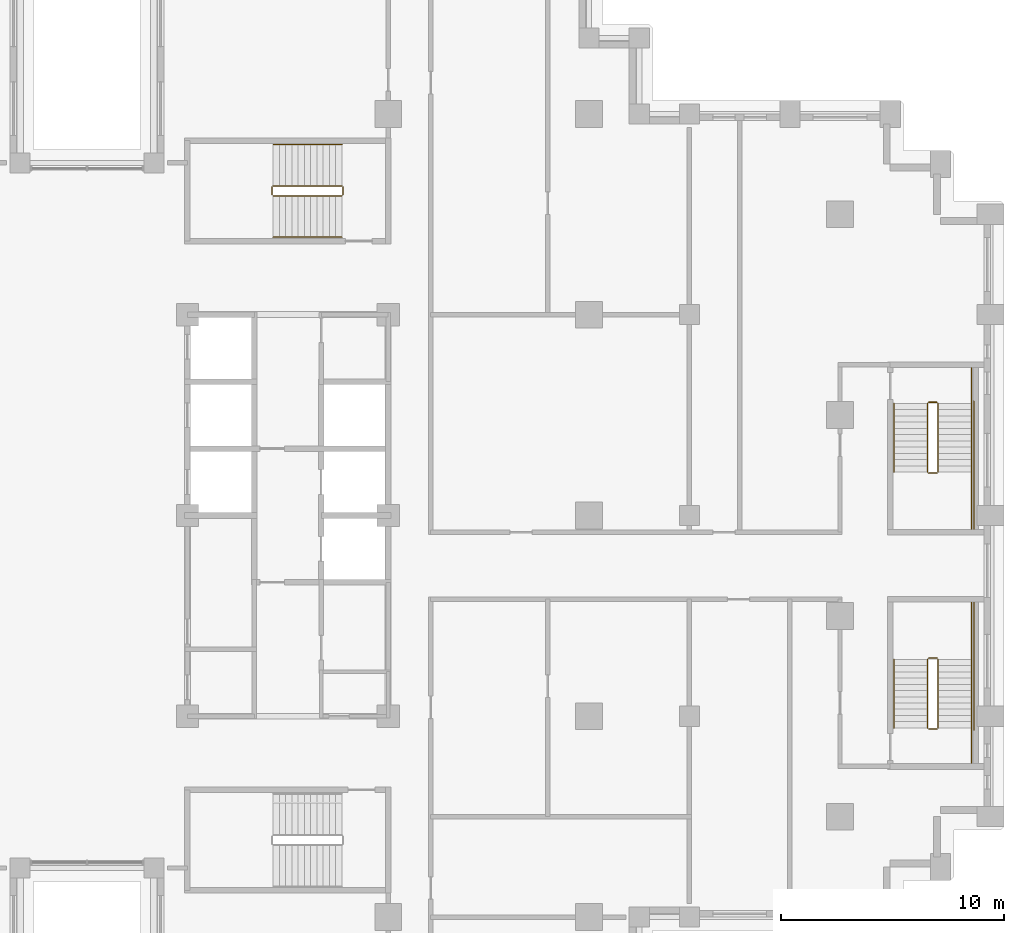
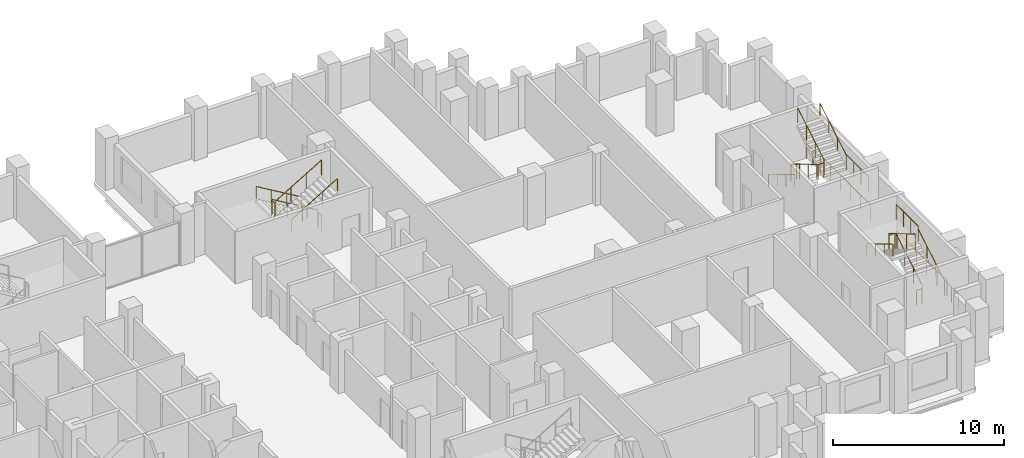
# One storey, part 16 of 16: 3 railings.
"""IFC4 building model written with IfcOpenShell, lengths in metres."""

import ifcopenshell
import ifcopenshell.guid

model = None  # the IFC model being written
_history = None  # IfcOwnerHistory: only IFC2X3 demands one
_inside = {}  # id of a spatial element -> (the spatial element, [elements in it])
_under = {}  # id of a project, library or spatial element -> (it, [spatial elements below it])
_declared = {}  # id of a project -> (the project, [libraries it declares])
_typed = {}  # id of a type object -> (the type object, [elements of that type])
_made_of = {}  # id of a material, layer set ... -> (it, [elements and type objects made of it])


def new_model(schema):
    """Start an empty IFC model of exactly this schema.

    Asked for "IFC4X3", IfcOpenShell would pick the latest addendum, in which some entities
    have other attributes; the version numbers below select the first issue.
    IFC2X3 requires an IfcOwnerHistory on every rooted entity: one is made here for all.
    """
    global model, _history
    if schema == "IFC4X3":
        model = ifcopenshell.file(schema_version=(4, 3, 0, 0))
    else:
        model = ifcopenshell.file(schema=schema)
    _inside.clear()
    _under.clear()
    _declared.clear()
    _typed.clear()
    _made_of.clear()
    _history = None
    if model.schema == "IFC2X3":
        org = make("IfcOrganization", Name="unknown")
        user = make(
            "IfcPersonAndOrganization",
            ThePerson=make("IfcPerson", FamilyName="unknown"),
            TheOrganization=org,
        )
        app = make(
            "IfcApplication",
            ApplicationDeveloper=org,
            Version="unknown",
            ApplicationFullName="unknown",
            ApplicationIdentifier="unknown",
        )
        _history = make(
            "IfcOwnerHistory",
            OwningUser=user,
            OwningApplication=app,
            ChangeAction="ADDED",
            CreationDate=0,
        )
    return model


def make(cls, **values):
    """One entity of the class cls with the attributes given. An attribute that is None is left unset."""
    return model.create_entity(
        cls, **{name: value for name, value in values.items() if value is not None}
    )


def rooted(cls, **values):
    """An entity with a GlobalId (a new one), such as an element, a storey or a relation."""
    return make(cls, GlobalId=ifcopenshell.guid.new(), OwnerHistory=_history, **values)


def si_unit(unit_type, name, prefix=None):
    """IfcSIUnit, for example si_unit("LENGTHUNIT", "METRE", prefix="MILLI")."""
    return make("IfcSIUnit", UnitType=unit_type, Prefix=prefix, Name=name)


def assignment(units):
    """IfcUnitAssignment: the units of a project."""
    return None if units is None else make("IfcUnitAssignment", Units=units)


def point(xyz):
    """IfcCartesianPoint."""
    return None if xyz is None else make("IfcCartesianPoint", Coordinates=xyz)


def direction(xyz):
    """IfcDirection."""
    return None if xyz is None else make("IfcDirection", DirectionRatios=xyz)


def frame(location, z_axis=None, x_axis=None):
    """IfcAxis2Placement3D, a coordinate frame: its origin and axes. An axis left out is left unset."""
    return make(
        "IfcAxis2Placement3D",
        Location=point(location),
        Axis=direction(z_axis),
        RefDirection=direction(x_axis),
    )


def frame_2d(location, x_axis=None):
    """IfcAxis2Placement2D, a coordinate frame in the plane: its origin and x axis."""
    return make(
        "IfcAxis2Placement2D", Location=point(location), RefDirection=direction(x_axis)
    )


def origin():
    """The frame at (0, 0, 0) with its axes left unset."""
    return frame((0.0, 0.0, 0.0))


def origin_2d():
    """The frame at (0, 0) in the plane with its x axis left unset."""
    return frame_2d((0.0, 0.0))


def place(relative_to, where):
    """IfcLocalPlacement: puts the frame where relative to a parent placement (None: the world)."""
    return make(
        "IfcLocalPlacement", PlacementRelTo=relative_to, RelativePlacement=where
    )


def context(
    kind, dimensions, precision=None, world=None, true_north=None, identifier=None
):
    """IfcGeometricRepresentationContext, for example the 3D "Model" context."""
    return make(
        "IfcGeometricRepresentationContext",
        ContextIdentifier=identifier,
        ContextType=kind,
        CoordinateSpaceDimension=dimensions,
        Precision=precision,
        WorldCoordinateSystem=world,
        TrueNorth=true_north,
    )


def subcontext(parent, identifier, kind, view, scale=None):
    """IfcGeometricRepresentationSubContext, for example "Body" below "Model"."""
    return make(
        "IfcGeometricRepresentationSubContext",
        ContextIdentifier=identifier,
        ContextType=kind,
        ParentContext=parent,
        TargetScale=scale,
        TargetView=view,
    )


def project(units=None, contexts=None):
    """IfcProject with its units and contexts."""
    return rooted(
        "IfcProject",
        Name="project",
        RepresentationContexts=contexts,
        UnitsInContext=assignment(units),
    )


def spatial(cls, under=None, at=None, **own):
    """A site, building, storey or space (cls), placed at a placement, below another one or the project."""
    s = rooted(cls, ObjectPlacement=at, **own)
    if under is not None:
        _under.setdefault(under.id(), (under, []))[1].append(s)
    return s


def profile(cls, at=None, kind="AREA", **sizes):
    """A parametric profile (cls). Its sizes go by their IFC names, for example OverallWidth=200.0."""
    return make(cls, ProfileType=kind, Position=at, **sizes)


def circle(**sizes):
    """IfcCircleProfileDef."""
    return profile("IfcCircleProfileDef", **sizes)


def extrude(swept, where, along, depth):
    """IfcExtrudedAreaSolid: the profile swept, set in the frame where, extruded along a direction by depth."""
    return make(
        "IfcExtrudedAreaSolid",
        SweptArea=swept,
        Position=where,
        ExtrudedDirection=direction(along),
        Depth=depth,
    )


def shape(context_of_items, identifier, shape_type, items):
    """IfcShapeRepresentation: the items that make up one representation, for example the "Body"."""
    return make(
        "IfcShapeRepresentation",
        ContextOfItems=context_of_items,
        RepresentationIdentifier=identifier,
        RepresentationType=shape_type,
        Items=items,
    )


def material(Name=None, Category=None):
    """IfcMaterial."""
    return make("IfcMaterial", Name=Name, Category=Category)


def made_of(thing, what):
    """Note that an element or type object is made of a material, layer set ...; save() writes the relation."""
    if what is not None:
        _made_of.setdefault(what.id(), (what, []))[1].append(thing)
    return thing


def type_object(cls, material=None, **own):
    """A type object (cls), such as IfcWallType, which elements share."""
    return made_of(rooted(cls, **own), material)


def element(
    cls,
    number,
    at=None,
    inside=None,
    cuts=None,
    type_object=None,
    material=None,
    context=None,
    identifier="Body",
    shape_type=None,
    held_by="IfcProductDefinitionShape",
    body=None,
    shapes=None,
    **own,
):
    """One element of the class cls, such as IfcWall. Its Tag is "e" and its number.

    at: its placement. inside: the storey or other place that contains it. cuts: it is an
    opening in that element (IfcRelVoidsElement). A single representation is given by context,
    identifier, shape_type and body (its items); several are given by shapes. held_by: the class
    of the entity that holds the representations. save() writes the other relations.
    """
    e = rooted(cls, Tag="e%d" % number, ObjectPlacement=at, **own)
    if body is not None:
        shapes = [shape(context, identifier, shape_type, body)]
    if shapes is not None:
        e.Representation = make(held_by, Representations=shapes)
    if inside is not None:
        _inside.setdefault(inside.id(), (inside, []))[1].append(e)
    if cuts is not None:
        rooted(
            "IfcRelVoidsElement", RelatingBuildingElement=cuts, RelatedOpeningElement=e
        )
    if type_object is not None:
        _typed.setdefault(type_object.id(), (type_object, []))[1].append(e)
    return made_of(e, material)


def aggregate(whole, parts):
    """IfcRelAggregates: a whole, such as a stair, and the parts it consists of."""
    return rooted("IfcRelAggregates", RelatingObject=whole, RelatedObjects=parts)


def save(model, path):
    """Write the relations noted so far, then the file.

    IfcRelAggregates (storeys below a building ...), IfcRelContainedInSpatialStructure (elements
    in a storey), IfcRelDefinesByType, IfcRelAssociatesMaterial and IfcRelDeclares: one each for
    every whole, place, type object, material and project.
    """
    for whole, parts in _under.values():
        aggregate(whole, parts)
    for where, things in _inside.values():
        rooted(
            "IfcRelContainedInSpatialStructure",
            RelatedElements=things,
            RelatingStructure=where,
        )
    for kind, things in _typed.values():
        rooted("IfcRelDefinesByType", RelatedObjects=things, RelatingType=kind)
    for what, things in _made_of.values():
        rooted("IfcRelAssociatesMaterial", RelatedObjects=things, RelatingMaterial=what)
    for by, libraries in _declared.values():
        rooted("IfcRelDeclares", RelatingContext=by, RelatedDefinitions=libraries)
    model.write(path)


model = new_model("IFC4")

# Units and contexts
model_context = context("Model", 3, precision=1e-05, world=origin(), true_north=direction((0.0, 1.0)))
body_context = subcontext(model_context, "Body", "Model", "MODEL_VIEW")
ifc_project = project(units=[si_unit("LENGTHUNIT", "METRE"), si_unit("AREAUNIT", "SQUARE_METRE"), si_unit("VOLUMEUNIT", "CUBIC_METRE"), si_unit("PLANEANGLEUNIT", "RADIAN"), si_unit("MASSUNIT", "GRAM", prefix="KILO")], contexts=[model_context])

# Site, building, storey
site_placement = place(None, origin())
site = spatial("IfcSite", under=ifc_project, at=site_placement, CompositionType="ELEMENT")
building_placement = place(site_placement, origin())
building = spatial("IfcBuilding", under=site, at=building_placement, Name="Corbelhall Arena Tower", CompositionType="ELEMENT")
storey_placement = place(building_placement, frame((0.0, 0.0, 108.0)))
storey = spatial("IfcBuildingStorey", under=building, at=storey_placement, Name="L19", CompositionType="ELEMENT", Elevation=108.0)

# Railings
ifc_material = material(Name="Steel ASTM A500 Gr C", Category="steel")
railing_type = type_object("IfcRailingType", Name="IN-GD-1100", PredefinedType="GUARDRAIL", material=ifc_material)
railing_1_placement = place(storey_placement, frame((11.425048828125, 14.77490234375, 0.166748046875)))
element("IfcRailing", 1, at=railing_1_placement, inside=storey, type_object=railing_type, Name="L19 ST3 stair guards and handrails", PredefinedType="GUARDRAIL", context=body_context, shape_type="SweptSolid", body=[
    extrude(circle(Radius=0.02392578125, at=origin_2d()), frame((0.0, 0.0, 1.076171875), z_axis=(-0.859308565015, 0.0, 0.511457515432), x_axis=(0.0, -1.0, 0.0)), (0.0, 0.0, 1.0), 3.58447265625),
    extrude(circle(Radius=0.02392578125, at=origin_2d()), frame((-3.130126953125, -0.0498046875, 2.9091796875), z_axis=(0.0, -1.0, 0.0), x_axis=(1.0, 0.0, 0.0)), (0.0, 0.0, 1.0), 0.35009765625),
    extrude(circle(Radius=0.02392578125, at=origin_2d()), frame((-3.080078125, -0.449951171875, 3.076171875), z_axis=(0.859308565015, 0.0, 0.511457515432), x_axis=(0.0, 1.0, 0.0)), (0.0, 0.0, 1.0), 3.58447265625),
    extrude(circle(Radius=0.02392578125, at=origin_2d()), frame((0.050048828125, -0.0498046875, 0.9091796875), z_axis=(0.0, -1.0, 0.0), x_axis=(1.0, 0.0, 0.0)), (0.0, 0.0, 1.0), 0.35009765625),
    extrude(circle(Radius=0.02392578125, at=origin_2d()), frame((0.0, 1.85009765625, 0.8759765625), z_axis=(-0.859308565015, 0.0, 0.511457515432), x_axis=(0.0, -1.0, 0.0)), (0.0, 0.0, 1.0), 3.58447265625),
    extrude(circle(Radius=0.02392578125, at=origin_2d()), frame((-3.080078125, -2.2998046875, 2.8759765625), z_axis=(0.859308565015, 0.0, 0.511457515432), x_axis=(0.0, 1.0, 0.0)), (0.0, 0.0, 1.0), 3.58447265625),
    extrude(circle(Radius=0.02099609375, at=origin_2d()), origin(), (0.0, 0.0, 1.0), 1.052001953125),
    extrude(circle(Radius=0.02099609375, at=origin_2d()), frame((-1.026611328125, 0.0, 0.611083984375)), (0.0, 0.0, 1.0), 1.052001953125),
    extrude(circle(Radius=0.02099609375, at=origin_2d()), frame((-2.053466796875, 0.0, 1.22216796875)), (0.0, 0.0, 1.0), 1.052001953125),
    extrude(circle(Radius=0.02099609375, at=origin_2d()), frame((-3.080078125, 0.0, 1.833251953125)), (0.0, 0.0, 1.0), 1.052001953125),
    extrude(circle(Radius=0.02099609375, at=origin_2d()), frame((-3.130126953125, -0.0498046875, 1.833251953125)), (0.0, 0.0, 1.0), 1.052001953125),
    extrude(circle(Radius=0.02099609375, at=origin_2d()), frame((-3.130126953125, -0.39990234375, 1.833251953125)), (0.0, 0.0, 1.0), 1.052001953125),
    extrude(circle(Radius=0.02099609375, at=origin_2d()), frame((-3.080078125, -0.449951171875, 2.0)), (0.0, 0.0, 1.0), 1.052001953125),
    extrude(circle(Radius=0.02099609375, at=origin_2d()), frame((-2.053466796875, -0.449951171875, 2.611083984375)), (0.0, 0.0, 1.0), 1.052001953125),
    extrude(circle(Radius=0.02099609375, at=origin_2d()), frame((-1.026611328125, -0.449951171875, 3.22216796875)), (0.0, 0.0, 1.0), 1.052001953125),
    extrude(circle(Radius=0.02099609375, at=origin_2d()), frame((0.0, -0.449951171875, 3.833251953125)), (0.0, 0.0, 1.0), 1.052001953125),
    extrude(circle(Radius=0.02099609375, at=origin_2d()), frame((0.050048828125, -0.0498046875, -0.166748046875)), (0.0, 0.0, 1.0), 1.052001953125),
    extrude(circle(Radius=0.02099609375, at=origin_2d()), frame((0.050048828125, -0.39990234375, -0.166748046875)), (0.0, 0.0, 1.0), 1.052001953125),
    extrude(circle(Radius=0.02099609375, at=origin_2d()), frame((0.0, 1.85009765625, 0.0)), (0.0, 0.0, 1.0), 0.851806640625),
    extrude(circle(Radius=0.02099609375, at=origin_2d()), frame((-1.026611328125, 1.85009765625, 0.611083984375)), (0.0, 0.0, 1.0), 0.851806640625),
    extrude(circle(Radius=0.02099609375, at=origin_2d()), frame((-2.053466796875, 1.85009765625, 1.22216796875)), (0.0, 0.0, 1.0), 0.851806640625),
    extrude(circle(Radius=0.02099609375, at=origin_2d()), frame((-3.080078125, 1.85009765625, 1.833251953125)), (0.0, 0.0, 1.0), 0.851806640625),
    extrude(circle(Radius=0.02099609375, at=origin_2d()), frame((-3.080078125, -2.2998046875, 2.0)), (0.0, 0.0, 1.0), 0.851806640625),
    extrude(circle(Radius=0.02099609375, at=origin_2d()), frame((-2.053466796875, -2.2998046875, 2.611083984375)), (0.0, 0.0, 1.0), 0.851806640625),
    extrude(circle(Radius=0.02099609375, at=origin_2d()), frame((-1.026611328125, -2.2998046875, 3.22216796875)), (0.0, 0.0, 1.0), 0.851806640625),
    extrude(circle(Radius=0.02099609375, at=origin_2d()), frame((0.0, -2.2998046875, 3.833251953125)), (0.0, 0.0, 1.0), 0.851806640625),
])
railing_2_placement = place(storey_placement, frame((38.14990234375, -9.52490234375, 0.166748046875)))
element("IfcRailing", 2, at=railing_2_placement, inside=storey, type_object=railing_type, Name="L19 SD1 stair guards and handrails", PredefinedType="GUARDRAIL", context=body_context, shape_type="SweptSolid", body=[
    extrude(circle(Radius=0.02392578125, at=origin_2d()), frame((0.0, 0.0, 1.076171875), z_axis=(0.0, 0.859290745958, 0.51148745235), x_axis=(-1.0, 0.0, 0.0)), (0.0, 0.0, 1.0), 3.584228515625),
    extrude(circle(Radius=0.02392578125, at=origin_2d()), frame((-0.0498046875, 3.1298828125, 2.9091796875), z_axis=(-1.0, 0.0, 0.0), x_axis=(0.0, -1.0, 0.0)), (0.0, 0.0, 1.0), 0.375),
    extrude(circle(Radius=0.02392578125, at=origin_2d()), frame((1.5, 3.079833984375, 2.9091796875), z_axis=(0.0, 1.0, 0.0), x_axis=(-1.0, 0.0, 0.0)), (0.0, 0.0, 1.0), 2.570068359375),
    extrude(circle(Radius=0.02392578125, at=origin_2d()), frame((-0.474853515625, 3.079833984375, 3.076171875), z_axis=(0.0, -0.859290745958, 0.51148745235), x_axis=(1.0, 0.0, 0.0)), (0.0, 0.0, 1.0), 3.584228515625),
    extrude(circle(Radius=0.02392578125, at=origin_2d()), frame((-0.0498046875, -0.050048828125, 0.9091796875), z_axis=(-1.0, 0.0, 0.0), x_axis=(0.0, -1.0, 0.0)), (0.0, 0.0, 1.0), 0.375),
    extrude(circle(Radius=0.02392578125, at=origin_2d()), frame((1.5, -1.60009765625, 0.9091796875), z_axis=(0.0, 1.0, 0.0), x_axis=(-1.0, 0.0, 0.0)), (0.0, 0.0, 1.0), 1.60009765625),
    extrude(circle(Radius=0.02392578125, at=origin_2d()), frame((1.60009765625, -0.10009765625, 0.9091796875), z_axis=(0.0, 1.0, 0.0), x_axis=(-1.0, 0.0, 0.0)), (0.0, 0.0, 1.0), 5.85009765625),
    extrude(circle(Radius=0.02392578125, at=origin_2d()), frame((1.5, 0.0, 0.8759765625), z_axis=(0.0, 0.859290745958, 0.51148745235), x_axis=(-1.0, 0.0, 0.0)), (0.0, 0.0, 1.0), 3.584228515625),
    extrude(circle(Radius=0.02392578125, at=origin_2d()), frame((-1.974853515625, 3.079833984375, 2.8759765625), z_axis=(0.0, -0.859290745958, 0.51148745235), x_axis=(1.0, 0.0, 0.0)), (0.0, 0.0, 1.0), 3.584228515625),
    extrude(circle(Radius=0.02099609375, at=origin_2d()), origin(), (0.0, 0.0, 1.0), 1.052001953125),
    extrude(circle(Radius=0.02099609375, at=origin_2d()), frame((0.0, 1.026611328125, 0.611083984375)), (0.0, 0.0, 1.0), 1.052001953125),
    extrude(circle(Radius=0.02099609375, at=origin_2d()), frame((0.0, 2.05322265625, 1.22216796875)), (0.0, 0.0, 1.0), 1.052001953125),
    extrude(circle(Radius=0.02099609375, at=origin_2d()), frame((0.0, 3.079833984375, 1.833251953125)), (0.0, 0.0, 1.0), 1.052001953125),
    extrude(circle(Radius=0.02099609375, at=origin_2d()), frame((-0.0498046875, 3.1298828125, 1.833251953125)), (0.0, 0.0, 1.0), 1.052001953125),
    extrude(circle(Radius=0.02099609375, at=origin_2d()), frame((-0.4248046875, 3.1298828125, 1.833251953125)), (0.0, 0.0, 1.0), 1.052001953125),
    extrude(circle(Radius=0.02099609375, at=origin_2d()), frame((1.5, 3.079833984375, 1.833251953125)), (0.0, 0.0, 1.0), 1.052001953125),
    extrude(circle(Radius=0.02099609375, at=origin_2d()), frame((1.5, 3.9365234375, 1.833251953125)), (0.0, 0.0, 1.0), 1.052001953125),
    extrude(circle(Radius=0.02099609375, at=origin_2d()), frame((1.5, 4.793212890625, 1.833251953125)), (0.0, 0.0, 1.0), 1.052001953125),
    extrude(circle(Radius=0.02099609375, at=origin_2d()), frame((1.5, 5.64990234375, 1.833251953125)), (0.0, 0.0, 1.0), 1.052001953125),
    extrude(circle(Radius=0.02099609375, at=origin_2d()), frame((-0.474853515625, 3.079833984375, 2.0)), (0.0, 0.0, 1.0), 1.052001953125),
    extrude(circle(Radius=0.02099609375, at=origin_2d()), frame((-0.474853515625, 2.05322265625, 2.611083984375)), (0.0, 0.0, 1.0), 1.052001953125),
    extrude(circle(Radius=0.02099609375, at=origin_2d()), frame((-0.474853515625, 1.026611328125, 3.22216796875)), (0.0, 0.0, 1.0), 1.052001953125),
    extrude(circle(Radius=0.02099609375, at=origin_2d()), frame((-0.474853515625, 0.0, 3.833251953125)), (0.0, 0.0, 1.0), 1.052001953125),
    extrude(circle(Radius=0.02099609375, at=origin_2d()), frame((-0.0498046875, -0.050048828125, -0.166748046875)), (0.0, 0.0, 1.0), 1.052001953125),
    extrude(circle(Radius=0.02099609375, at=origin_2d()), frame((-0.4248046875, -0.050048828125, -0.166748046875)), (0.0, 0.0, 1.0), 1.052001953125),
    extrude(circle(Radius=0.02099609375, at=origin_2d()), frame((1.5, -1.60009765625, -0.166748046875)), (0.0, 0.0, 1.0), 1.052001953125),
    extrude(circle(Radius=0.02099609375, at=origin_2d()), frame((1.5, -0.800048828125, -0.166748046875)), (0.0, 0.0, 1.0), 1.052001953125),
    extrude(circle(Radius=0.02099609375, at=origin_2d()), frame((1.5, 0.0, -0.166748046875)), (0.0, 0.0, 1.0), 1.052001953125),
    extrude(circle(Radius=0.02099609375, at=origin_2d()), frame((1.60009765625, -0.10009765625, -0.166748046875)), (0.0, 0.0, 1.0), 1.052001953125),
    extrude(circle(Radius=0.02099609375, at=origin_2d()), frame((1.60009765625, 1.06982421875, -0.166748046875)), (0.0, 0.0, 1.0), 1.052001953125),
    extrude(circle(Radius=0.02099609375, at=origin_2d()), frame((1.60009765625, 2.239990234375, -0.166748046875)), (0.0, 0.0, 1.0), 1.052001953125),
    extrude(circle(Radius=0.02099609375, at=origin_2d()), frame((1.60009765625, 3.409912109375, -0.166748046875)), (0.0, 0.0, 1.0), 1.052001953125),
    extrude(circle(Radius=0.02099609375, at=origin_2d()), frame((1.60009765625, 4.580078125, -0.166748046875)), (0.0, 0.0, 1.0), 1.052001953125),
    extrude(circle(Radius=0.02099609375, at=origin_2d()), frame((1.60009765625, 5.75, -0.166748046875)), (0.0, 0.0, 1.0), 1.052001953125),
    extrude(circle(Radius=0.02099609375, at=origin_2d()), frame((1.5, 0.0, 0.0)), (0.0, 0.0, 1.0), 0.851806640625),
    extrude(circle(Radius=0.02099609375, at=origin_2d()), frame((1.5, 1.026611328125, 0.611083984375)), (0.0, 0.0, 1.0), 0.851806640625),
    extrude(circle(Radius=0.02099609375, at=origin_2d()), frame((1.5, 2.05322265625, 1.22216796875)), (0.0, 0.0, 1.0), 0.851806640625),
    extrude(circle(Radius=0.02099609375, at=origin_2d()), frame((-1.974853515625, 3.079833984375, 2.0)), (0.0, 0.0, 1.0), 0.851806640625),
    extrude(circle(Radius=0.02099609375, at=origin_2d()), frame((-1.974853515625, 2.05322265625, 2.611083984375)), (0.0, 0.0, 1.0), 0.851806640625),
    extrude(circle(Radius=0.02099609375, at=origin_2d()), frame((-1.974853515625, 1.026611328125, 3.22216796875)), (0.0, 0.0, 1.0), 0.851806640625),
    extrude(circle(Radius=0.02099609375, at=origin_2d()), frame((-1.974853515625, 0.0, 3.833251953125)), (0.0, 0.0, 1.0), 0.851806640625),
])
railing_3_placement = place(storey_placement, frame((37.675048828125, 5.02490234375, 0.166748046875)))
element("IfcRailing", 3, at=railing_3_placement, inside=storey, type_object=railing_type, Name="L19 SD2 stair guards and handrails", PredefinedType="GUARDRAIL", context=body_context, shape_type="SweptSolid", body=[
    extrude(circle(Radius=0.02392578125, at=origin_2d()), frame((0.0, 0.0, 1.076171875), z_axis=(0.0, -0.859290745958, 0.51148745235), x_axis=(1.0, 0.0, 0.0)), (0.0, 0.0, 1.0), 3.584228515625),
    extrude(circle(Radius=0.02392578125, at=origin_2d()), frame((0.050048828125, -3.1298828125, 2.9091796875), z_axis=(1.0, 0.0, 0.0), x_axis=(0.0, 1.0, 0.0)), (0.0, 0.0, 1.0), 0.375),
    extrude(circle(Radius=0.02392578125, at=origin_2d()), frame((1.974853515625, -3.079833984375, 2.9091796875), z_axis=(0.0, -1.0, 0.0), x_axis=(1.0, 0.0, 0.0)), (0.0, 0.0, 1.0), 2.570068359375),
    extrude(circle(Radius=0.02392578125, at=origin_2d()), frame((0.474853515625, -3.079833984375, 3.076171875), z_axis=(0.0, 0.859290745958, 0.51148745235), x_axis=(-1.0, 0.0, 0.0)), (0.0, 0.0, 1.0), 3.584228515625),
    extrude(circle(Radius=0.02392578125, at=origin_2d()), frame((0.050048828125, 0.050048828125, 0.9091796875), z_axis=(1.0, 0.0, 0.0), x_axis=(0.0, 1.0, 0.0)), (0.0, 0.0, 1.0), 0.375),
    extrude(circle(Radius=0.02392578125, at=origin_2d()), frame((1.974853515625, 1.60009765625, 0.9091796875), z_axis=(0.0, -1.0, 0.0), x_axis=(1.0, 0.0, 0.0)), (0.0, 0.0, 1.0), 1.60009765625),
    extrude(circle(Radius=0.02392578125, at=origin_2d()), frame((2.074951171875, 0.10009765625, 0.9091796875), z_axis=(0.0, -1.0, 0.0), x_axis=(1.0, 0.0, 0.0)), (0.0, 0.0, 1.0), 5.85009765625),
    extrude(circle(Radius=0.02392578125, at=origin_2d()), frame((-1.5, 0.0, 0.8759765625), z_axis=(0.0, -0.859290745958, 0.51148745235), x_axis=(1.0, 0.0, 0.0)), (0.0, 0.0, 1.0), 3.584228515625),
    extrude(circle(Radius=0.02392578125, at=origin_2d()), frame((1.974853515625, -3.079833984375, 2.8759765625), z_axis=(0.0, 0.859290745958, 0.51148745235), x_axis=(-1.0, 0.0, 0.0)), (0.0, 0.0, 1.0), 3.584228515625),
    extrude(circle(Radius=0.02099609375, at=origin_2d()), origin(), (0.0, 0.0, 1.0), 1.052001953125),
    extrude(circle(Radius=0.02099609375, at=origin_2d()), frame((0.0, -1.026611328125, 0.611083984375)), (0.0, 0.0, 1.0), 1.052001953125),
    extrude(circle(Radius=0.02099609375, at=origin_2d()), frame((0.0, -2.05322265625, 1.22216796875)), (0.0, 0.0, 1.0), 1.052001953125),
    extrude(circle(Radius=0.02099609375, at=origin_2d()), frame((0.0, -3.079833984375, 1.833251953125)), (0.0, 0.0, 1.0), 1.052001953125),
    extrude(circle(Radius=0.02099609375, at=origin_2d()), frame((0.050048828125, -3.1298828125, 1.833251953125)), (0.0, 0.0, 1.0), 1.052001953125),
    extrude(circle(Radius=0.02099609375, at=origin_2d()), frame((0.425048828125, -3.1298828125, 1.833251953125)), (0.0, 0.0, 1.0), 1.052001953125),
    extrude(circle(Radius=0.02099609375, at=origin_2d()), frame((1.974853515625, -3.079833984375, 1.833251953125)), (0.0, 0.0, 1.0), 1.052001953125),
    extrude(circle(Radius=0.02099609375, at=origin_2d()), frame((1.974853515625, -3.9365234375, 1.833251953125)), (0.0, 0.0, 1.0), 1.052001953125),
    extrude(circle(Radius=0.02099609375, at=origin_2d()), frame((1.974853515625, -4.793212890625, 1.833251953125)), (0.0, 0.0, 1.0), 1.052001953125),
    extrude(circle(Radius=0.02099609375, at=origin_2d()), frame((1.974853515625, -5.64990234375, 1.833251953125)), (0.0, 0.0, 1.0), 1.052001953125),
    extrude(circle(Radius=0.02099609375, at=origin_2d()), frame((0.474853515625, -3.079833984375, 2.0)), (0.0, 0.0, 1.0), 1.052001953125),
    extrude(circle(Radius=0.02099609375, at=origin_2d()), frame((0.474853515625, -2.05322265625, 2.611083984375)), (0.0, 0.0, 1.0), 1.052001953125),
    extrude(circle(Radius=0.02099609375, at=origin_2d()), frame((0.474853515625, -1.026611328125, 3.22216796875)), (0.0, 0.0, 1.0), 1.052001953125),
    extrude(circle(Radius=0.02099609375, at=origin_2d()), frame((0.474853515625, 0.0, 3.833251953125)), (0.0, 0.0, 1.0), 1.052001953125),
    extrude(circle(Radius=0.02099609375, at=origin_2d()), frame((0.050048828125, 0.050048828125, -0.166748046875)), (0.0, 0.0, 1.0), 1.052001953125),
    extrude(circle(Radius=0.02099609375, at=origin_2d()), frame((0.425048828125, 0.050048828125, -0.166748046875)), (0.0, 0.0, 1.0), 1.052001953125),
    extrude(circle(Radius=0.02099609375, at=origin_2d()), frame((1.974853515625, 1.60009765625, -0.166748046875)), (0.0, 0.0, 1.0), 1.052001953125),
    extrude(circle(Radius=0.02099609375, at=origin_2d()), frame((1.974853515625, 0.800048828125, -0.166748046875)), (0.0, 0.0, 1.0), 1.052001953125),
    extrude(circle(Radius=0.02099609375, at=origin_2d()), frame((1.974853515625, 0.0, -0.166748046875)), (0.0, 0.0, 1.0), 1.052001953125),
    extrude(circle(Radius=0.02099609375, at=origin_2d()), frame((2.074951171875, 0.10009765625, -0.166748046875)), (0.0, 0.0, 1.0), 1.052001953125),
    extrude(circle(Radius=0.02099609375, at=origin_2d()), frame((2.074951171875, -1.06982421875, -0.166748046875)), (0.0, 0.0, 1.0), 1.052001953125),
    extrude(circle(Radius=0.02099609375, at=origin_2d()), frame((2.074951171875, -2.239990234375, -0.166748046875)), (0.0, 0.0, 1.0), 1.052001953125),
    extrude(circle(Radius=0.02099609375, at=origin_2d()), frame((2.074951171875, -3.409912109375, -0.166748046875)), (0.0, 0.0, 1.0), 1.052001953125),
    extrude(circle(Radius=0.02099609375, at=origin_2d()), frame((2.074951171875, -4.580078125, -0.166748046875)), (0.0, 0.0, 1.0), 1.052001953125),
    extrude(circle(Radius=0.02099609375, at=origin_2d()), frame((2.074951171875, -5.75, -0.166748046875)), (0.0, 0.0, 1.0), 1.052001953125),
    extrude(circle(Radius=0.02099609375, at=origin_2d()), frame((-1.5, 0.0, 0.0)), (0.0, 0.0, 1.0), 0.851806640625),
    extrude(circle(Radius=0.02099609375, at=origin_2d()), frame((-1.5, -1.026611328125, 0.611083984375)), (0.0, 0.0, 1.0), 0.851806640625),
    extrude(circle(Radius=0.02099609375, at=origin_2d()), frame((-1.5, -2.05322265625, 1.22216796875)), (0.0, 0.0, 1.0), 0.851806640625),
    extrude(circle(Radius=0.02099609375, at=origin_2d()), frame((-1.5, -3.079833984375, 1.833251953125)), (0.0, 0.0, 1.0), 0.851806640625),
    extrude(circle(Radius=0.02099609375, at=origin_2d()), frame((1.974853515625, -3.079833984375, 2.0)), (0.0, 0.0, 1.0), 0.851806640625),
    extrude(circle(Radius=0.02099609375, at=origin_2d()), frame((1.974853515625, -2.05322265625, 2.611083984375)), (0.0, 0.0, 1.0), 0.851806640625),
    extrude(circle(Radius=0.02099609375, at=origin_2d()), frame((1.974853515625, -1.026611328125, 3.22216796875)), (0.0, 0.0, 1.0), 0.851806640625),
    extrude(circle(Radius=0.02099609375, at=origin_2d()), frame((1.974853515625, 0.0, 3.833251953125)), (0.0, 0.0, 1.0), 0.851806640625),
])

save(model, "model.ifc")
